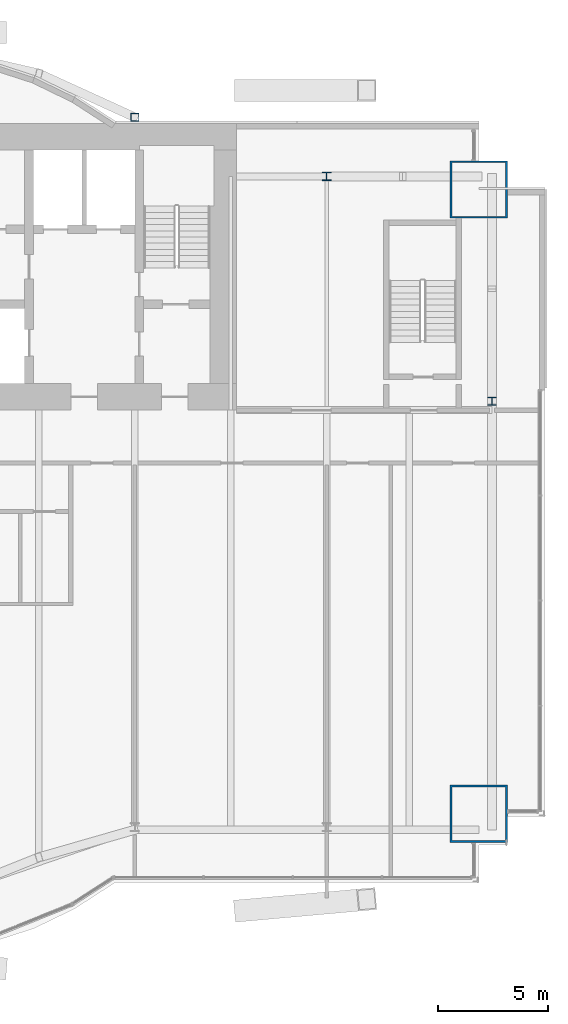
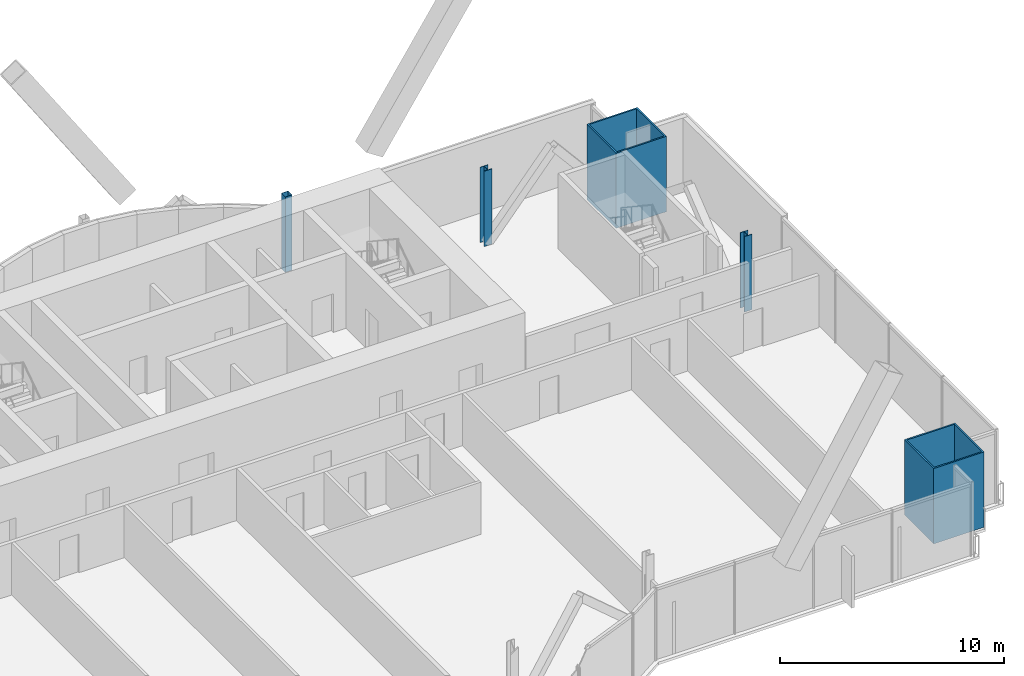
# One storey, part 4 of 22: 5 columns.
"""IFC4 building model written with IfcOpenShell, lengths in metres."""

from ifc_helpers import new_model, si_unit, direction, frame, origin, origin_2d, place, context, subcontext, project, spatial, hollow_rectangle, i_section, extrude, material, material_profile, profile_set, type_object, element, save


model = new_model("IFC4")

# Units and contexts
model_context = context("Model", 3, precision=1e-05, world=origin(), true_north=direction((0.0, 1.0)))
body_context = subcontext(model_context, "Body", "Model", "MODEL_VIEW")
ifc_project = project(units=[si_unit("LENGTHUNIT", "METRE"), si_unit("AREAUNIT", "SQUARE_METRE"), si_unit("VOLUMEUNIT", "CUBIC_METRE"), si_unit("PLANEANGLEUNIT", "RADIAN"), si_unit("MASSUNIT", "GRAM", prefix="KILO")], contexts=[model_context])

# Site, building, storey
site_placement = place(None, origin())
site = spatial("IfcSite", under=ifc_project, at=site_placement, CompositionType="ELEMENT")
building_placement = place(site_placement, origin())
building = spatial("IfcBuilding", under=site, at=building_placement, Name="Bicima Exchange Tower", CompositionType="ELEMENT")
storey_placement = place(building_placement, frame((0.0, 0.0, 169.10009765625)))
storey = spatial("IfcBuildingStorey", under=building, at=storey_placement, Name="L37", CompositionType="ELEMENT", Elevation=169.10009765625)

# Columns
ifc_material_1 = material(Name="Steel ASTM A572 Gr 50", Category="steel")
ifc_material_profile_1 = material_profile(ifc_material_1, hollow_rectangle(XDim=2.60009765625, YDim=2.60009765625, WallThickness=0.080078125, at=origin_2d()))
ifc_profile_set_1 = profile_set([ifc_material_profile_1], Name="Steel ASTM A572 Gr 50")
column_type_1 = type_object("IfcColumnType", Name="Mega column BOX 2600x2600x80", PredefinedType="COLUMN", material=ifc_profile_set_1)
for number, where, z_axis, x_axis, name in (
    (1, (33.0, -31.31396484375, 0.0), (0.0, 0.0, 1.0), (1.0, 0.0, 0.0), "Mega column mega+33.0f"),
    (2, (33.0, -3.0, 0.0), (0.0, 0.0, 1.0), (1.0, 0.0, 0.0), "Mega column mega+33.0r"),
):
    element("IfcColumn", number, at=place(storey_placement, frame(where, z_axis=z_axis, x_axis=x_axis)), inside=storey, type_object=column_type_1, Name=name, PredefinedType="COLUMN", context=body_context, shape_type="SweptSolid", body=[
        extrude(hollow_rectangle(XDim=2.60009765625, YDim=2.60009765625, WallThickness=0.080078125, at=origin_2d()), origin(), (0.0, 0.0, 1.0), 4.099853515625),
    ])
ifc_material_2 = material(Name="Steel ASTM A992 Gr 50", Category="steel")
ifc_material_profile_2 = material_profile(ifc_material_2, i_section(OverallWidth=0.396240234375, OverallDepth=0.381103515625, WebThickness=0.01904296875, FlangeThickness=0.0302734375, at=origin_2d()))
ifc_profile_set_2 = profile_set([ifc_material_profile_2], Name="Steel ASTM A992 Gr 50")
column_type_2 = type_object("IfcColumnType", Name="Perimeter column W14x159", PredefinedType="COLUMN", material=ifc_profile_set_2)
for number, where, z_axis, x_axis, name in (
    (3, (26.10009765625, -2.39990234375, 0.0), (0.0, 0.0, 1.0), (1.0, 0.0, 0.0), "Perimeter column grav+26.1r"),
    (4, (33.60009765625, -12.60009765625, 0.0), (0.0, 0.0, 1.0), (1.0, 0.0, 0.0), "End column end+33.6e"),
):
    element("IfcColumn", number, at=place(storey_placement, frame(where, z_axis=z_axis, x_axis=x_axis)), inside=storey, type_object=column_type_2, Name=name, PredefinedType="COLUMN", context=body_context, shape_type="SweptSolid", body=[
        extrude(i_section(OverallWidth=0.396240234375, OverallDepth=0.381103515625, WebThickness=0.01904296875, FlangeThickness=0.0302734375, at=origin_2d()), origin(), (0.0, 0.0, 1.0), 4.099853515625),
    ])
ifc_material_profile_3 = material_profile(ifc_material_1, hollow_rectangle(XDim=0.355712890625, YDim=0.355712890625, WallThickness=0.01171875, at=origin_2d()))
ifc_profile_set_3 = profile_set([ifc_material_profile_3], Name="Steel ASTM A572 Gr 50")
column_type_3 = type_object("IfcColumnType", Name="Rear pilaster HSS14x14x1/2", PredefinedType="COLUMN", material=ifc_profile_set_3)
column_placement = place(storey_placement, frame((17.39990234375, 0.278076171875, 0.0), z_axis=(0.0, 0.0, 1.0), x_axis=(1.0, 0.0, 0.0)))
element("IfcColumn", 5, at=column_placement, inside=storey, type_object=column_type_3, Name="Rear pilaster rexo+17.4r", PredefinedType="COLUMN", context=body_context, shape_type="SweptSolid", body=[
    extrude(hollow_rectangle(XDim=0.355712890625, YDim=0.355712890625, WallThickness=0.01171875, at=origin_2d()), origin(), (0.0, 0.0, 1.0), 4.099853515625),
])

save(model, "model.ifc")
